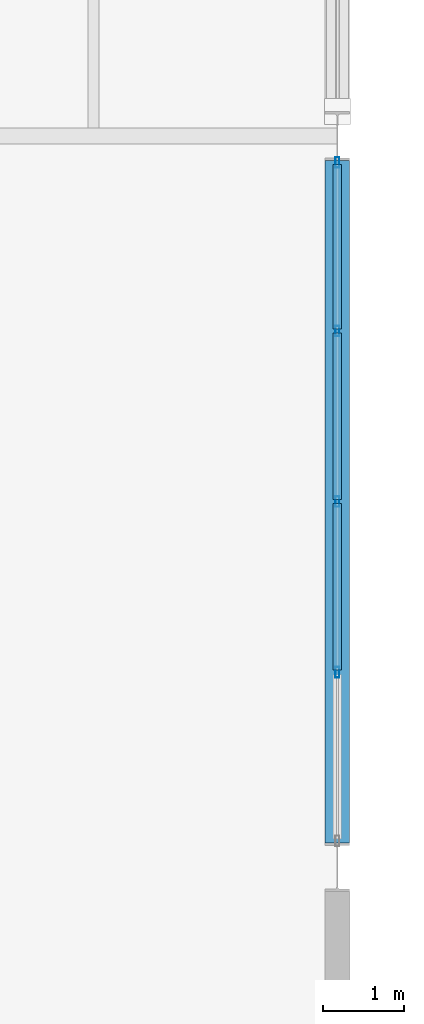
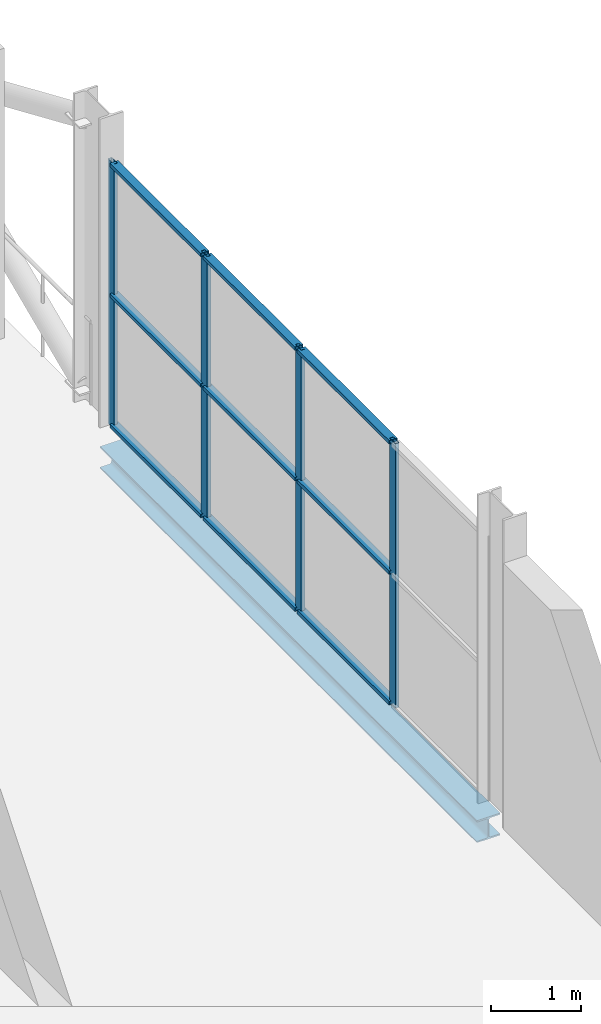
# One storey, part 95 of 135: 13 members, 1 beam, 1 element without a shape of its own.
"""IFC4 building model written with IfcOpenShell, lengths in metres."""

from ifc_helpers import new_model, si_unit, direction, frame, origin, origin_2d, place, context, subcontext, project, spatial, hollow_rectangle, i_section, extrude, material, layer, layer_set, material_profile, profile_set, type_object, element, aggregate, save


model = new_model("IFC4")

# Units and contexts
model_context = context("Model", 3, precision=1e-05, world=origin(), true_north=direction((0.0, 1.0)))
body_context = subcontext(model_context, "Body", "Model", "MODEL_VIEW")
ifc_project = project(units=[si_unit("LENGTHUNIT", "METRE"), si_unit("AREAUNIT", "SQUARE_METRE"), si_unit("VOLUMEUNIT", "CUBIC_METRE"), si_unit("PLANEANGLEUNIT", "RADIAN"), si_unit("MASSUNIT", "GRAM", prefix="KILO")], contexts=[model_context])

# Site, building, storey
site_placement = place(None, origin())
site = spatial("IfcSite", under=ifc_project, at=site_placement, CompositionType="ELEMENT")
building_placement = place(site_placement, origin())
building = spatial("IfcBuilding", under=site, at=building_placement, Name="Deido Ridge Mobility Hub", CompositionType="ELEMENT")
storey_placement = place(building_placement, frame((0.0, 0.0, 4.199951171875)))
storey = spatial("IfcBuildingStorey", under=building, at=storey_placement, Name="L01", CompositionType="ELEMENT", Elevation=4.199951171875)

# Curtain wall, members
ifc_material_1 = material(Name="Anodised aluminium EN AW-6063 T6", Category="aluminium")
ifc_layer = layer(ifc_material_1, 0.1650390625, Name="Anodised aluminium EN AW-6063 T6")
ifc_layer_set = layer_set([ifc_layer], Name="Anodised aluminium EN AW-6063 T6")
curtain_wall_type = type_object("IfcCurtainWallType", Name="CW-UF-1", PredefinedType="USERDEFINED", material=ifc_layer_set)
curtain_wall_placement = place(storey_placement, origin())
curtain_wall = element("IfcCurtainWall", 1, at=curtain_wall_placement, inside=storey, type_object=curtain_wall_type, Name="Unitised curtain wall CW1", ObjectType="UNITISED FACADE", PredefinedType="USERDEFINED")
ifc_material_profile_1 = material_profile(ifc_material_1, hollow_rectangle(XDim=0.050048828125, YDim=0.1298828125, WallThickness=0.00390625, at=origin_2d()), Name="RHS 50x130x4")
ifc_profile_set_1 = profile_set([ifc_material_profile_1], Name="Anodised aluminium EN AW-6063 T6")
member_type_1 = type_object("IfcMemberType", Name="MEM-MUL-50X130", PredefinedType="MULLION", material=ifc_profile_set_1)
member_1_placement = place(storey_placement, frame((180.0, 47.39990234375, 0.0), z_axis=(0.0, 0.0, 1.0), x_axis=(-1.0, 0.0, 0.0)))
member_1 = element("IfcMember", 2, at=member_1_placement, type_object=member_type_1, Name="CW1 mullion 2", PredefinedType="MULLION", context=body_context, shape_type="SweptSolid", body=[
    extrude(hollow_rectangle(XDim=0.050048828125, YDim=0.1298828125, WallThickness=0.00390625, at=origin_2d()), origin(), (0.0, 0.0, 1.0), 3.60009765625),
])
member_2_placement = place(storey_placement, frame((180.0, 49.5, 0.0), z_axis=(0.0, 0.0, 1.0), x_axis=(-1.0, 0.0, 0.0)))
member_2 = element("IfcMember", 3, at=member_2_placement, type_object=member_type_1, Name="CW1 mullion 3", PredefinedType="MULLION", context=body_context, shape_type="SweptSolid", body=[
    extrude(hollow_rectangle(XDim=0.050048828125, YDim=0.1298828125, WallThickness=0.00390625, at=origin_2d()), origin(), (0.0, 0.0, 1.0), 3.60009765625),
])
member_3_placement = place(storey_placement, frame((180.0, 51.60009765625, 0.0), z_axis=(0.0, 0.0, 1.0), x_axis=(-1.0, 0.0, 0.0)))
member_3 = element("IfcMember", 4, at=member_3_placement, type_object=member_type_1, Name="CW1 mullion 4", PredefinedType="MULLION", context=body_context, shape_type="SweptSolid", body=[
    extrude(hollow_rectangle(XDim=0.050048828125, YDim=0.1298828125, WallThickness=0.00390625, at=origin_2d()), origin(), (0.0, 0.0, 1.0), 3.60009765625),
])
member_4_placement = place(storey_placement, frame((180.0, 53.675048828125, 0.0), z_axis=(0.0, 0.0, 1.0), x_axis=(-1.0, 0.0, 0.0)))
member_4 = element("IfcMember", 5, at=member_4_placement, type_object=member_type_1, Name="CW1 mullion 5", PredefinedType="MULLION", context=body_context, shape_type="SweptSolid", body=[
    extrude(hollow_rectangle(XDim=0.050048828125, YDim=0.1298828125, WallThickness=0.00390625, at=origin_2d()), origin(), (0.0, 0.0, 1.0), 3.60009765625),
])
ifc_material_profile_2 = material_profile(ifc_material_1, hollow_rectangle(XDim=0.10498046875, YDim=0.050048828125, WallThickness=0.00390625, at=origin_2d()), Name="RHS 105x50x4")
ifc_profile_set_2 = profile_set([ifc_material_profile_2], Name="Anodised aluminium EN AW-6063 T6")
member_type_2 = type_object("IfcMemberType", Name="MEM-TRN-105X50", PredefinedType="USERDEFINED", material=ifc_profile_set_2)
member_5_placement = place(storey_placement, frame((180.0, 47.425048828125, 0.025146484375), z_axis=(0.0, 1.0, 0.0), x_axis=(-1.0, 0.0, 0.0)))
member_5 = element("IfcMember", 6, at=member_5_placement, type_object=member_type_2, Name="CW1 transom 2.1", ObjectType="TRANSOM", PredefinedType="USERDEFINED", context=body_context, shape_type="SweptSolid", body=[
    extrude(hollow_rectangle(XDim=0.10498046875, YDim=0.050048828125, WallThickness=0.00390625, at=origin_2d()), origin(), (0.0, 0.0, 1.0), 2.050048828125),
])
member_6_placement = place(storey_placement, frame((180.0, 47.425048828125, 1.800048828125), z_axis=(0.0, 1.0, 0.0), x_axis=(-1.0, 0.0, 0.0)))
member_6 = element("IfcMember", 7, at=member_6_placement, type_object=member_type_2, Name="CW1 transom 2.2", ObjectType="TRANSOM", PredefinedType="USERDEFINED", context=body_context, shape_type="SweptSolid", body=[
    extrude(hollow_rectangle(XDim=0.10498046875, YDim=0.050048828125, WallThickness=0.00390625, at=origin_2d()), origin(), (0.0, 0.0, 1.0), 2.050048828125),
])
member_7_placement = place(storey_placement, frame((180.0, 47.425048828125, 3.574951171875), z_axis=(0.0, 1.0, 0.0), x_axis=(-1.0, 0.0, 0.0)))
member_7 = element("IfcMember", 8, at=member_7_placement, type_object=member_type_2, Name="CW1 transom 2.3", ObjectType="TRANSOM", PredefinedType="USERDEFINED", context=body_context, shape_type="SweptSolid", body=[
    extrude(hollow_rectangle(XDim=0.10498046875, YDim=0.050048828125, WallThickness=0.00390625, at=origin_2d()), origin(), (0.0, 0.0, 1.0), 2.050048828125),
])
member_8_placement = place(storey_placement, frame((180.0, 49.52490234375, 0.025146484375), z_axis=(0.0, 1.0, 0.0), x_axis=(-1.0, 0.0, 0.0)))
member_8 = element("IfcMember", 9, at=member_8_placement, type_object=member_type_2, Name="CW1 transom 3.1", ObjectType="TRANSOM", PredefinedType="USERDEFINED", context=body_context, shape_type="SweptSolid", body=[
    extrude(hollow_rectangle(XDim=0.10498046875, YDim=0.050048828125, WallThickness=0.00390625, at=origin_2d()), origin(), (0.0, 0.0, 1.0), 2.050048828125),
])
member_9_placement = place(storey_placement, frame((180.0, 49.52490234375, 1.800048828125), z_axis=(0.0, 1.0, 0.0), x_axis=(-1.0, 0.0, 0.0)))
member_9 = element("IfcMember", 10, at=member_9_placement, type_object=member_type_2, Name="CW1 transom 3.2", ObjectType="TRANSOM", PredefinedType="USERDEFINED", context=body_context, shape_type="SweptSolid", body=[
    extrude(hollow_rectangle(XDim=0.10498046875, YDim=0.050048828125, WallThickness=0.00390625, at=origin_2d()), origin(), (0.0, 0.0, 1.0), 2.050048828125),
])
member_10_placement = place(storey_placement, frame((180.0, 49.52490234375, 3.574951171875), z_axis=(0.0, 1.0, 0.0), x_axis=(-1.0, 0.0, 0.0)))
member_10 = element("IfcMember", 11, at=member_10_placement, type_object=member_type_2, Name="CW1 transom 3.3", ObjectType="TRANSOM", PredefinedType="USERDEFINED", context=body_context, shape_type="SweptSolid", body=[
    extrude(hollow_rectangle(XDim=0.10498046875, YDim=0.050048828125, WallThickness=0.00390625, at=origin_2d()), origin(), (0.0, 0.0, 1.0), 2.050048828125),
])
member_11_placement = place(storey_placement, frame((180.0, 51.625, 0.025146484375), z_axis=(0.0, 1.0, 0.0), x_axis=(-1.0, 0.0, 0.0)))
member_11 = element("IfcMember", 12, at=member_11_placement, type_object=member_type_2, Name="CW1 transom 4.1", ObjectType="TRANSOM", PredefinedType="USERDEFINED", context=body_context, shape_type="SweptSolid", body=[
    extrude(hollow_rectangle(XDim=0.10498046875, YDim=0.050048828125, WallThickness=0.00390625, at=origin_2d()), origin(), (0.0, 0.0, 1.0), 2.02490234375),
])
member_12_placement = place(storey_placement, frame((180.0, 51.625, 1.800048828125), z_axis=(0.0, 1.0, 0.0), x_axis=(-1.0, 0.0, 0.0)))
member_12 = element("IfcMember", 13, at=member_12_placement, type_object=member_type_2, Name="CW1 transom 4.2", ObjectType="TRANSOM", PredefinedType="USERDEFINED", context=body_context, shape_type="SweptSolid", body=[
    extrude(hollow_rectangle(XDim=0.10498046875, YDim=0.050048828125, WallThickness=0.00390625, at=origin_2d()), origin(), (0.0, 0.0, 1.0), 2.02490234375),
])
member_13_placement = place(storey_placement, frame((180.0, 51.625, 3.574951171875), z_axis=(0.0, 1.0, 0.0), x_axis=(-1.0, 0.0, 0.0)))
member_13 = element("IfcMember", 14, at=member_13_placement, type_object=member_type_2, Name="CW1 transom 4.3", ObjectType="TRANSOM", PredefinedType="USERDEFINED", context=body_context, shape_type="SweptSolid", body=[
    extrude(hollow_rectangle(XDim=0.10498046875, YDim=0.050048828125, WallThickness=0.00390625, at=origin_2d()), origin(), (0.0, 0.0, 1.0), 2.02490234375),
])
aggregate(curtain_wall, [member_1, member_2, member_3, member_4, member_5, member_6, member_7, member_8, member_9, member_10, member_11, member_12, member_13])

# Beam
ifc_material_2 = material(Name="Steel S355J2 EN 10025-2", Category="steel")
ifc_material_profile_3 = material_profile(ifc_material_2, i_section(OverallWidth=0.300048828125, OverallDepth=0.300048828125, WebThickness=0.010986328125, FlangeThickness=0.01904296875, FilletRadius=0.027099609375, at=origin_2d()), Name="HEB 300")
ifc_profile_set_3 = profile_set([ifc_material_profile_3], Name="Steel S355J2 EN 10025-2")
beam_type = type_object("IfcBeamType", Name="SPD-HEB300", PredefinedType="SPANDREL", material=ifc_profile_set_3)
beam_placement = place(storey_placement, frame((180.0, 45.300048828125, -0.39990234375), z_axis=(0.0, 1.0, 0.0), x_axis=(-1.0, 0.0, 0.0)))
element("IfcBeam", 15, at=beam_placement, inside=storey, type_object=beam_type, Name="Floor beam SP1", PredefinedType="SPANDREL", context=body_context, shape_type="SweptSolid", body=[
    extrude(i_section(OverallWidth=0.300048828125, OverallDepth=0.300048828125, WebThickness=0.010986328125, FlangeThickness=0.01904296875, FilletRadius=0.027099609375, at=origin_2d()), origin(), (0.0, 0.0, 1.0), 8.39990234375),
])

save(model, "model.ifc")
